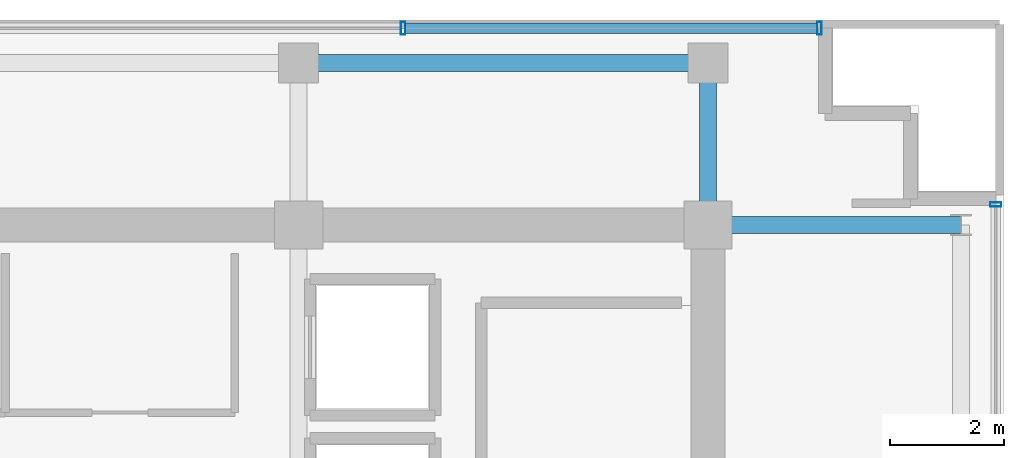
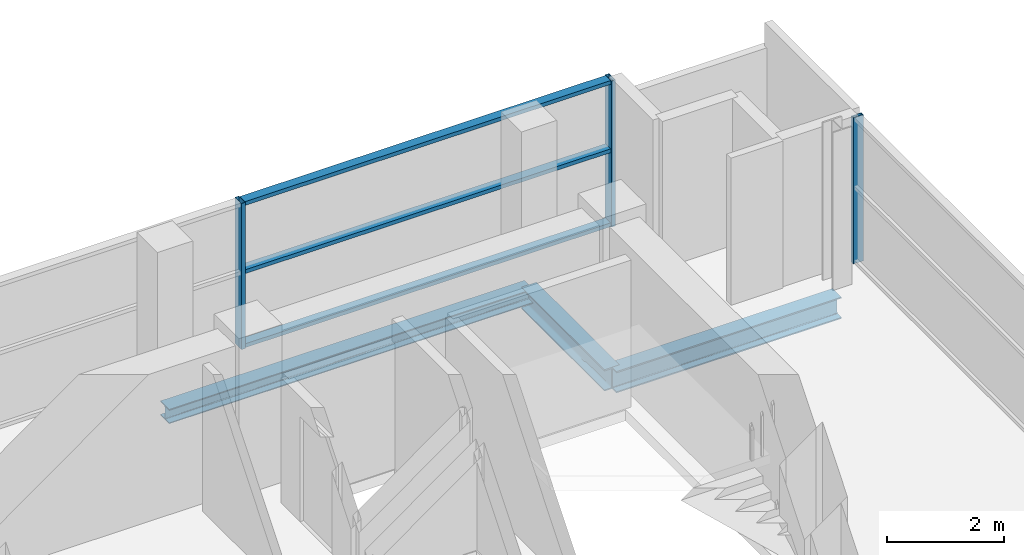
# One storey, part 13 of 22: 6 members, 3 beams, 2 elements without a shape of their own.
"""IFC4 building model written with IfcOpenShell, lengths in metres."""

from ifc_helpers import new_model, si_unit, direction, frame, origin, origin_2d, place, context, subcontext, project, spatial, hollow_rectangle, i_section, extrude, source, transform, mapped, material, layer, layer_set, material_profile, profile_set, type_object, element, aggregate, save


model = new_model("IFC4")

# Units and contexts
model_context = context("Model", 3, precision=1e-05, world=origin(), true_north=direction((0.0, 1.0)))
body_context = subcontext(model_context, "Body", "Model", "MODEL_VIEW")
ifc_project = project(units=[si_unit("LENGTHUNIT", "METRE"), si_unit("AREAUNIT", "SQUARE_METRE"), si_unit("VOLUMEUNIT", "CUBIC_METRE"), si_unit("PLANEANGLEUNIT", "RADIAN"), si_unit("MASSUNIT", "GRAM", prefix="KILO")], contexts=[model_context])

# Site, building, storey
site_placement = place(None, origin())
site = spatial("IfcSite", under=ifc_project, at=site_placement, CompositionType="ELEMENT")
building_placement = place(site_placement, origin())
building = spatial("IfcBuilding", under=site, at=building_placement, Name="Zarnakvel Exchange Tower", CompositionType="ELEMENT")
storey_placement = place(building_placement, frame((0.0, 0.0, 228.699951171875)))
storey = spatial("IfcBuildingStorey", under=building, at=storey_placement, Name="L64", CompositionType="ELEMENT", Elevation=228.699951171875)

# Beams
ifc_material_1 = material(Name="Steel S355", Category="steel")
ifc_material_profile_1 = material_profile(ifc_material_1, i_section(OverallWidth=0.300048828125, OverallDepth=0.449951171875, WebThickness=0.013916015625, FlangeThickness=0.02587890625, FilletRadius=0.027099609375, at=origin_2d()))
ifc_profile_set_1 = profile_set([ifc_material_profile_1], Name="Steel S355")
beam_type_1 = type_object("IfcBeamType", Name="G-07", PredefinedType="BEAM", material=ifc_profile_set_1)
beam_1_placement = place(storey_placement, frame((14.39990234375, 13.5, -0.449951171875), z_axis=(1.0, 0.0, 0.0), x_axis=(0.0, 1.0, 0.0)))
element("IfcBeam", 1, at=beam_1_placement, inside=storey, type_object=beam_type_1, Name="L64 Tower E-W Frame Beam", PredefinedType="BEAM", context=body_context, shape_type="SweptSolid", body=[
    extrude(i_section(OverallWidth=0.300048828125, OverallDepth=0.449951171875, WebThickness=0.013916015625, FlangeThickness=0.02587890625, FilletRadius=0.027099609375, at=origin_2d()), origin(), (0.0, 0.0, 1.0), 4.4501953125),
])
beam_2_placement = place(storey_placement, frame((14.39990234375, 13.5, -0.449951171875), z_axis=(0.0, 1.0, 0.0), x_axis=(-1.0, 0.0, 0.0)))
element("IfcBeam", 2, at=beam_2_placement, inside=storey, type_object=beam_type_1, Name="L64 Tower N-S Frame Beam", PredefinedType="BEAM", context=body_context, shape_type="SweptSolid", body=[
    extrude(i_section(OverallWidth=0.300048828125, OverallDepth=0.449951171875, WebThickness=0.013916015625, FlangeThickness=0.02587890625, FilletRadius=0.027099609375, at=origin_2d()), origin(), (0.0, 0.0, 1.0), 2.85009765625),
])
ifc_material_profile_2 = material_profile(ifc_material_1, i_section(OverallWidth=0.300048828125, OverallDepth=0.300048828125, WebThickness=0.010986328125, FlangeThickness=0.01904296875, FilletRadius=0.027099609375, at=origin_2d()))
ifc_profile_set_2 = profile_set([ifc_material_profile_2], Name="Steel S355")
beam_type_2 = type_object("IfcBeamType", Name="SP-03", PredefinedType="SPANDREL", material=ifc_profile_set_2)
beam_3_placement = place(storey_placement, frame((7.199951171875, 16.35009765625, -0.375), z_axis=(1.0, 0.0, 0.0), x_axis=(0.0, 1.0, 0.0)))
element("IfcBeam", 3, at=beam_3_placement, inside=storey, type_object=beam_type_2, Name="L64 Tower E-W Frame Beam", PredefinedType="SPANDREL", context=body_context, shape_type="SweptSolid", body=[
    extrude(i_section(OverallWidth=0.300048828125, OverallDepth=0.300048828125, WebThickness=0.010986328125, FlangeThickness=0.01904296875, FilletRadius=0.027099609375, at=origin_2d()), origin(), (0.0, 0.0, 1.0), 7.199951171875),
])

# Curtain wall, member
ifc_material_2 = material(Name="Architectural Bronze Anodised Aluminium", Category="aluminium")
ifc_layer_1 = layer(ifc_material_2, 0.199951171875)
ifc_layer_set_1 = layer_set([ifc_layer_1], Name="Architectural Bronze Anodised Aluminium")
curtain_wall_type_1 = type_object("IfcCurtainWallType", Name="CW-04", PredefinedType="NOTDEFINED", material=ifc_layer_set_1)
curtain_wall_1_placement = place(storey_placement, origin())
curtain_wall_1 = element("IfcCurtainWall", 4, at=curtain_wall_1_placement, inside=storey, type_object=curtain_wall_type_1, Name="L64 Curtain Wall CW-L64-E1 (CW-04)", PredefinedType="NOTDEFINED")
ifc_material_profile_3 = material_profile(ifc_material_2, hollow_rectangle(XDim=0.199951171875, YDim=0.074951171875, WallThickness=0.0048828125, at=origin_2d()))
ifc_profile_set_3 = profile_set([ifc_material_profile_3], Name="Architectural Bronze Anodised Aluminium")
member_type_1 = type_object("IfcMemberType", Name="CWM-04", PredefinedType="MULLION", material=ifc_profile_set_3)
shared_shape_1 = source(origin(), body_context, "Body", "SweptSolid", [
    extrude(hollow_rectangle(XDim=0.199951171875, YDim=0.074951171875, WallThickness=0.0048828125, at=origin_2d()), origin(), (0.0, 0.0, 1.0), 3.054931640625),
])
member_1_placement = place(storey_placement, frame((19.4599609375, 13.862548828125, 0.0), z_axis=(0.0, 0.0, 1.0), x_axis=(-1.0, 0.0, 0.0)))
member_1 = element("IfcMember", 5, at=member_1_placement, type_object=member_type_1, Name="CW-04 mullion 5", PredefinedType="MULLION", context=body_context, shape_type="MappedRepresentation", body=[
    mapped(shared_shape_1, transform((0.0, 0.0, 0.0), x_axis=(1.0, 0.0, 0.0), y_axis=(0.0, 1.0, 0.0), z_axis=(0.0, 0.0, 1.0), scale=1.0)),
])
aggregate(curtain_wall_1, [member_1])

# Curtain wall, members
ifc_layer_2 = layer(ifc_material_2, 0.219970703125)
ifc_layer_set_2 = layer_set([ifc_layer_2], Name="Architectural Bronze Anodised Aluminium")
curtain_wall_type_2 = type_object("IfcCurtainWallType", Name="CW-03", PredefinedType="NOTDEFINED", material=ifc_layer_set_2)
curtain_wall_2_placement = place(storey_placement, origin())
curtain_wall_2 = element("IfcCurtainWall", 6, at=curtain_wall_2_placement, inside=storey, type_object=curtain_wall_type_2, Name="L64 Curtain Wall CW-L64-N1 (CW-03)", PredefinedType="NOTDEFINED")
ifc_material_profile_4 = material_profile(ifc_material_2, hollow_rectangle(XDim=0.219970703125, YDim=0.080078125, WallThickness=0.0048828125, at=origin_2d()))
ifc_profile_set_4 = profile_set([ifc_material_profile_4], Name="Architectural Bronze Anodised Aluminium")
member_type_2 = type_object("IfcMemberType", Name="CWM-03", PredefinedType="MULLION", material=ifc_profile_set_4)
shared_shape_2 = source(origin(), body_context, "Body", "SweptSolid", [
    extrude(hollow_rectangle(XDim=0.219970703125, YDim=0.080078125, WallThickness=0.0048828125, at=origin_2d()), origin(), (0.0, 0.0, 1.0), 3.054931640625),
])
member_2_placement = place(storey_placement, frame((9.0400390625, 16.9599609375, 0.0), z_axis=(0.0, 0.0, 1.0), x_axis=(0.0, 1.0, 0.0)))
member_2 = element("IfcMember", 7, at=member_2_placement, type_object=member_type_2, Name="CW-03 mullion 5", PredefinedType="MULLION", context=body_context, shape_type="MappedRepresentation", body=[
    mapped(shared_shape_2, transform((0.0, 0.0, 0.0), x_axis=(1.0, 0.0, 0.0), y_axis=(0.0, 1.0, 0.0), z_axis=(0.0, 0.0, 1.0), scale=1.0)),
])
member_3_placement = place(storey_placement, frame((16.360107421875, 16.9599609375, 0.0), z_axis=(0.0, 0.0, 1.0), x_axis=(0.0, 1.0, 0.0)))
member_3 = element("IfcMember", 8, at=member_3_placement, type_object=member_type_2, Name="CW-03 mullion 6", PredefinedType="MULLION", context=body_context, shape_type="MappedRepresentation", body=[
    mapped(shared_shape_2, transform((0.0, 0.0, 0.0), x_axis=(1.0, 0.0, 0.0), y_axis=(0.0, 1.0, 0.0), z_axis=(0.0, 0.0, 1.0), scale=1.0)),
])
ifc_material_profile_5 = material_profile(ifc_material_2, hollow_rectangle(XDim=0.179931640625, YDim=0.080078125, WallThickness=0.00390625, at=origin_2d()))
ifc_profile_set_5 = profile_set([ifc_material_profile_5], Name="Architectural Bronze Anodised Aluminium")
member_type_3 = type_object("IfcMemberType", Name="CWT-03", PredefinedType="USERDEFINED", material=ifc_profile_set_5)
shared_shape_3 = source(origin(), body_context, "Body", "SweptSolid", [
    extrude(hollow_rectangle(XDim=0.179931640625, YDim=0.080078125, WallThickness=0.00390625, at=origin_2d()), origin(), (0.0, 0.0, 1.0), 7.239990234375),
])
member_4_placement = place(storey_placement, frame((9.080078125, 16.9599609375, 0.0400390625), z_axis=(1.0, 0.0, 0.0), x_axis=(0.0, 1.0, 0.0)))
member_4 = element("IfcMember", 9, at=member_4_placement, type_object=member_type_3, Name="CW-03 transom 5.1", ObjectType="TRANSOM", PredefinedType="USERDEFINED", context=body_context, shape_type="MappedRepresentation", body=[
    mapped(shared_shape_3, transform((0.0, 0.0, 0.0), x_axis=(1.0, 0.0, 0.0), y_axis=(0.0, 1.0, 0.0), z_axis=(0.0, 0.0, 1.0), scale=1.0)),
])
member_5_placement = place(storey_placement, frame((9.080078125, 16.9599609375, 1.588623046875), z_axis=(1.0, 0.0, 0.0), x_axis=(0.0, 1.0, 0.0)))
member_5 = element("IfcMember", 10, at=member_5_placement, type_object=member_type_3, Name="CW-03 transom 5.2", ObjectType="TRANSOM", PredefinedType="USERDEFINED", context=body_context, shape_type="MappedRepresentation", body=[
    mapped(shared_shape_3, transform((0.0, 0.0, 0.0), x_axis=(1.0, 0.0, 0.0), y_axis=(0.0, 1.0, 0.0), z_axis=(0.0, 0.0, 1.0), scale=1.0)),
])
member_6_placement = place(storey_placement, frame((9.080078125, 16.9599609375, 3.01513671875), z_axis=(1.0, 0.0, 0.0), x_axis=(0.0, 1.0, 0.0)))
member_6 = element("IfcMember", 11, at=member_6_placement, type_object=member_type_3, Name="CW-03 transom 5.3", ObjectType="TRANSOM", PredefinedType="USERDEFINED", context=body_context, shape_type="MappedRepresentation", body=[
    mapped(shared_shape_3, transform((0.0, 0.0, 0.0), x_axis=(1.0, 0.0, 0.0), y_axis=(0.0, 1.0, 0.0), z_axis=(0.0, 0.0, 1.0), scale=1.0)),
])
aggregate(curtain_wall_2, [member_2, member_3, member_4, member_5, member_6])

save(model, "model.ifc")
